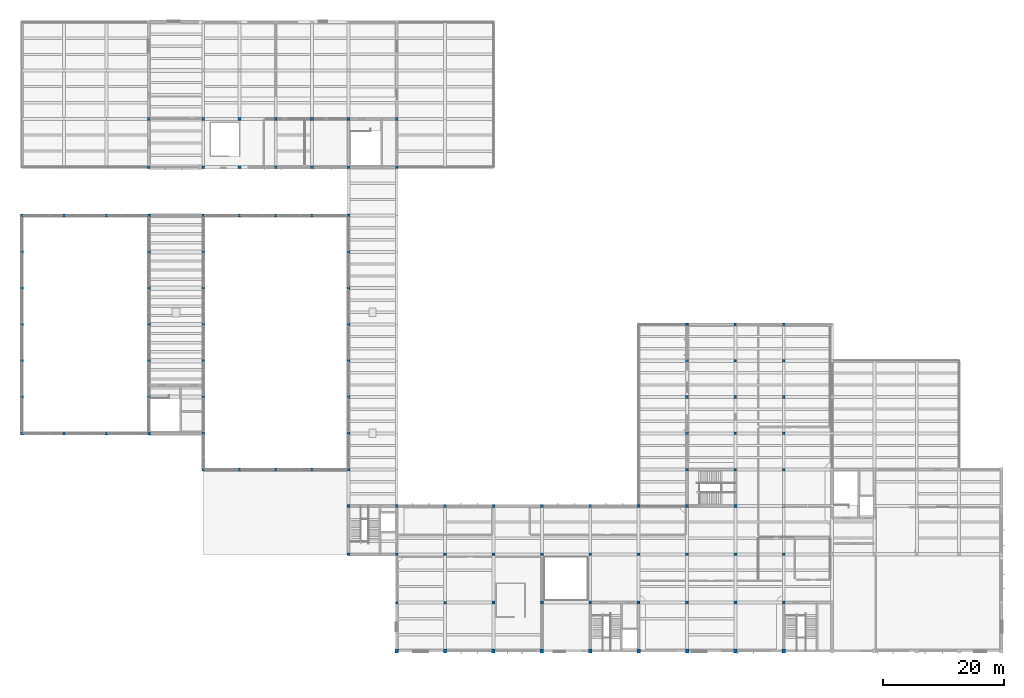
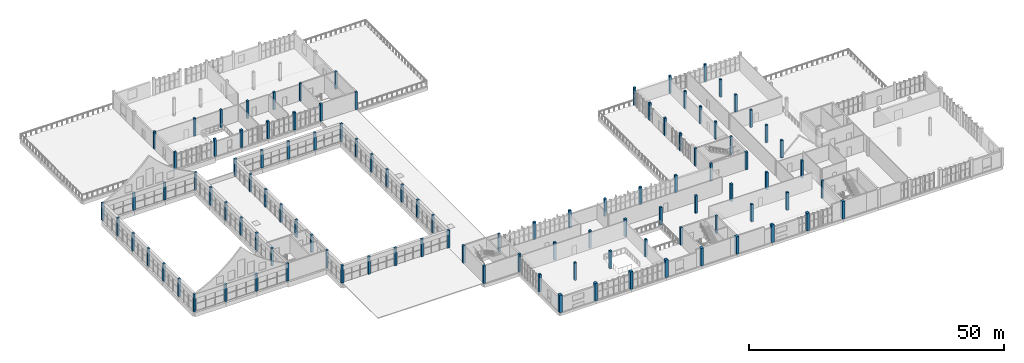
# One storey, part 1 of 70: 107 columns.
"""IFC4 building model written with IfcOpenShell, lengths in metres."""

from ifc_helpers import new_model, si_unit, direction, frame, origin, origin_2d, place, context, subcontext, project, spatial, rectangle, extrude, material, material_profile, profile_set, type_object, element, save


model = new_model("IFC4")

# Units and contexts
model_context = context("Model", 3, precision=1e-05, world=origin(), true_north=direction((0.0, 1.0)))
body_context = subcontext(model_context, "Body", "Model", "MODEL_VIEW")
ifc_project = project(units=[si_unit("LENGTHUNIT", "METRE"), si_unit("AREAUNIT", "SQUARE_METRE"), si_unit("VOLUMEUNIT", "CUBIC_METRE"), si_unit("PLANEANGLEUNIT", "RADIAN"), si_unit("MASSUNIT", "GRAM", prefix="KILO")], contexts=[model_context])

# Site, building, storey
site_placement = place(None, origin())
site = spatial("IfcSite", under=ifc_project, at=site_placement, CompositionType="ELEMENT")
building_placement = place(site_placement, origin())
building = spatial("IfcBuilding", under=site, at=building_placement, Name="Solvane Community Centre", CompositionType="ELEMENT")
storey_placement = place(building_placement, frame((0.0, 0.0, 9.60009765625)))
storey = spatial("IfcBuildingStorey", under=building, at=storey_placement, Name="L02", CompositionType="ELEMENT", Elevation=9.60009765625)

# Columns
ifc_material_1 = material(Name="Precast concrete C35/45", Category="concrete")
ifc_material_profile_1 = material_profile(ifc_material_1, rectangle(XDim=0.580078125, YDim=0.679931640625, at=origin_2d()), Name="RC 580x680")
ifc_profile_set_1 = profile_set([ifc_material_profile_1], Name="Precast concrete C35/45")
column_type_1 = type_object("IfcColumnType", Name="Art Deco Corner Pilaster 580x680", PredefinedType="PILASTER", material=ifc_profile_set_1)
for number, where, z_axis, x_axis, name in (
    (1, (68.0, 6.0, 0.0), (0.0, 0.0, 1.0), (1.0, 0.0, 0.0), "Column COL-L02-11-A"),
    (2, (76.0, 6.0, 0.0), (0.0, 0.0, 1.0), (1.0, 0.0, 0.0), "Column COL-L02-12-A"),
    (3, (84.0, 6.0, 0.0), (0.0, 0.0, 1.0), (1.0, 0.0, 0.0), "Column COL-L02-13-A"),
    (4, (92.0, 6.0, 0.0), (0.0, 0.0, 1.0), (1.0, 0.0, 0.0), "Column COL-L02-14-A"),
    (5, (100.0, 6.0, 0.0), (0.0, 0.0, 1.0), (1.0, 0.0, 0.0), "Column COL-L02-15-A"),
    (6, (108.0, 6.0, 0.0), (0.0, 0.0, 1.0), (1.0, 0.0, 0.0), "Column COL-L02-16-A"),
    (7, (116.0, 6.0, 0.0), (0.0, 0.0, 1.0), (1.0, 0.0, 0.0), "Column COL-L02-17-A"),
    (8, (124.0, 6.0, 0.0), (0.0, 0.0, 1.0), (1.0, 0.0, 0.0), "Column COL-L02-18-A"),
    (9, (132.0, 6.0, 0.0), (0.0, 0.0, 1.0), (1.0, 0.0, 0.0), "Column COL-L02-19-A"),
):
    element("IfcColumn", number, at=place(storey_placement, frame(where, z_axis=z_axis, x_axis=x_axis)), inside=storey, type_object=column_type_1, Name=name, PredefinedType="PILASTER", context=body_context, shape_type="SweptSolid", body=[
        extrude(rectangle(XDim=0.580078125, YDim=0.679931640625, at=origin_2d()), origin(), (0.0, 0.0, 1.0), 4.199951171875),
    ])
ifc_material_2 = material(Name="Glulam GL32h", Category="wood")
ifc_material_profile_2 = material_profile(ifc_material_2, rectangle(XDim=0.43994140625, YDim=0.43994140625, at=origin_2d()), Name="GL32h 440x440")
ifc_profile_set_2 = profile_set([ifc_material_profile_2], Name="Glulam GL32h")
column_type_2 = type_object("IfcColumnType", Name="Glulam Column 440x440", PredefinedType="COLUMN", material=ifc_profile_set_2)
for number, where, z_axis, x_axis, name in (
    (10, (68.0, 14.0, 0.0), (0.0, 0.0, 1.0), (1.0, 0.0, 0.0), "Column COL-L02-11-B"),
    (11, (76.0, 14.0, 0.0), (0.0, 0.0, 1.0), (1.0, 0.0, 0.0), "Column COL-L02-12-B"),
    (12, (116.0, 36.0, 0.0), (0.0, 0.0, 1.0), (1.0, 0.0, 0.0), "Column COL-L02-17-E"),
    (13, (116.0, 42.0, 0.0), (0.0, 0.0, 1.0), (1.0, 0.0, 0.0), "Column COL-L02-17-F"),
    (14, (116.0, 48.0, 0.0), (0.0, 0.0, 1.0), (1.0, 0.0, 0.0), "Column COL-L02-17-G"),
    (15, (116.0, 54.0, 0.0), (0.0, 0.0, 1.0), (1.0, 0.0, 0.0), "Column COL-L02-17-H"),
    (16, (116.0, 60.0, 0.0), (0.0, 0.0, 1.0), (1.0, 0.0, 0.0), "Column COL-L02-17-J"),
    (17, (124.0, 36.0, 0.0), (0.0, 0.0, 1.0), (1.0, 0.0, 0.0), "Column COL-L02-18-E"),
    (18, (124.0, 42.0, 0.0), (0.0, 0.0, 1.0), (1.0, 0.0, 0.0), "Column COL-L02-18-F"),
    (19, (124.0, 48.0, 0.0), (0.0, 0.0, 1.0), (1.0, 0.0, 0.0), "Column COL-L02-18-G"),
    (20, (124.0, 54.0, 0.0), (0.0, 0.0, 1.0), (1.0, 0.0, 0.0), "Column COL-L02-18-H"),
    (21, (124.0, 60.0, 0.0), (0.0, 0.0, 1.0), (1.0, 0.0, 0.0), "Column COL-L02-18-J"),
    (22, (132.0, 36.0, 0.0), (0.0, 0.0, 1.0), (1.0, 0.0, 0.0), "Column COL-L02-19-E"),
    (23, (132.0, 42.0, 0.0), (0.0, 0.0, 1.0), (1.0, 0.0, 0.0), "Column COL-L02-19-F"),
    (24, (132.0, 48.0, 0.0), (0.0, 0.0, 1.0), (1.0, 0.0, 0.0), "Column COL-L02-19-G"),
    (25, (132.0, 54.0, 0.0), (0.0, 0.0, 1.0), (1.0, 0.0, 0.0), "Column COL-L02-19-H"),
    (26, (132.0, 60.0, 0.0), (0.0, 0.0, 1.0), (1.0, 0.0, 0.0), "Column COL-L02-19-J"),
):
    element("IfcColumn", number, at=place(storey_placement, frame(where, z_axis=z_axis, x_axis=x_axis)), inside=storey, type_object=column_type_2, Name=name, PredefinedType="COLUMN", context=body_context, shape_type="SweptSolid", body=[
        extrude(rectangle(XDim=0.43994140625, YDim=0.43994140625, at=origin_2d()), origin(), (0.0, 0.0, 1.0), 4.199951171875),
    ])
ifc_material_profile_3 = material_profile(ifc_material_2, rectangle(XDim=0.47998046875, YDim=0.47998046875, at=origin_2d()), Name="GL32h 480x480")
ifc_profile_set_3 = profile_set([ifc_material_profile_3], Name="Glulam GL32h")
column_type_3 = type_object("IfcColumnType", Name="Glulam Heavy Column 480x480", PredefinedType="COLUMN", material=ifc_profile_set_3)
for number, where, z_axis, x_axis, name in (
    (27, (60.0, 22.0, 0.0), (0.0, 0.0, 1.0), (1.0, 0.0, 0.0), "Column COL-L02-10-C"),
    (28, (60.0, 30.0, 0.0), (0.0, 0.0, 1.0), (1.0, 0.0, 0.0), "Column COL-L02-10-D"),
    (29, (68.0, 22.0, 0.0), (0.0, 0.0, 1.0), (1.0, 0.0, 0.0), "Column COL-L02-11-C"),
    (30, (68.0, 30.0, 0.0), (0.0, 0.0, 1.0), (1.0, 0.0, 0.0), "Column COL-L02-11-D"),
    (31, (76.0, 22.0, 0.0), (0.0, 0.0, 1.0), (1.0, 0.0, 0.0), "Column COL-L02-12-C"),
    (32, (76.0, 30.0, 0.0), (0.0, 0.0, 1.0), (1.0, 0.0, 0.0), "Column COL-L02-12-D"),
    (33, (84.0, 14.0, 0.0), (0.0, 0.0, 1.0), (1.0, 0.0, 0.0), "Column COL-L02-13-B"),
    (34, (84.0, 22.0, 0.0), (0.0, 0.0, 1.0), (1.0, 0.0, 0.0), "Column COL-L02-13-C"),
    (35, (84.0, 30.0, 0.0), (0.0, 0.0, 1.0), (1.0, 0.0, 0.0), "Column COL-L02-13-D"),
    (36, (92.0, 14.0, 0.0), (0.0, 0.0, 1.0), (1.0, 0.0, 0.0), "Column COL-L02-14-B"),
    (37, (92.0, 22.0, 0.0), (0.0, 0.0, 1.0), (1.0, 0.0, 0.0), "Column COL-L02-14-C"),
    (38, (92.0, 30.0, 0.0), (0.0, 0.0, 1.0), (1.0, 0.0, 0.0), "Column COL-L02-14-D"),
    (39, (100.0, 14.0, 0.0), (0.0, 0.0, 1.0), (1.0, 0.0, 0.0), "Column COL-L02-15-B"),
    (40, (100.0, 22.0, 0.0), (0.0, 0.0, 1.0), (1.0, 0.0, 0.0), "Column COL-L02-15-C"),
    (41, (100.0, 30.0, 0.0), (0.0, 0.0, 1.0), (1.0, 0.0, 0.0), "Column COL-L02-15-D"),
    (42, (108.0, 14.0, 0.0), (0.0, 0.0, 1.0), (1.0, 0.0, 0.0), "Column COL-L02-16-B"),
    (43, (108.0, 22.0, 0.0), (0.0, 0.0, 1.0), (1.0, 0.0, 0.0), "Column COL-L02-16-C"),
    (44, (108.0, 30.0, 0.0), (0.0, 0.0, 1.0), (1.0, 0.0, 0.0), "Column COL-L02-16-D"),
    (45, (116.0, 14.0, 0.0), (0.0, 0.0, 1.0), (1.0, 0.0, 0.0), "Column COL-L02-17-B"),
    (46, (116.0, 22.0, 0.0), (0.0, 0.0, 1.0), (1.0, 0.0, 0.0), "Column COL-L02-17-C"),
    (47, (116.0, 30.0, 0.0), (0.0, 0.0, 1.0), (1.0, 0.0, 0.0), "Column COL-L02-17-D"),
    (48, (124.0, 14.0, 0.0), (0.0, 0.0, 1.0), (1.0, 0.0, 0.0), "Column COL-L02-18-B"),
    (49, (124.0, 22.0, 0.0), (0.0, 0.0, 1.0), (1.0, 0.0, 0.0), "Column COL-L02-18-C"),
    (50, (124.0, 30.0, 0.0), (0.0, 0.0, 1.0), (1.0, 0.0, 0.0), "Column COL-L02-18-D"),
    (51, (132.0, 14.0, 0.0), (0.0, 0.0, 1.0), (1.0, 0.0, 0.0), "Column COL-L02-19-B"),
    (52, (132.0, 22.0, 0.0), (0.0, 0.0, 1.0), (1.0, 0.0, 0.0), "Column COL-L02-19-C"),
    (53, (132.0, 30.0, 0.0), (0.0, 0.0, 1.0), (1.0, 0.0, 0.0), "Column COL-L02-19-D"),
    (54, (36.0, 36.0, 0.0), (0.0, 0.0, 1.0), (1.0, 0.0, 0.0), "Hall Drum Column COL-L02-DRM-360_360-V1"),
    (55, (36.0, 42.0, 0.0), (0.0, 0.0, 1.0), (1.0, 0.0, 0.0), "Hall Drum Column COL-L02-DRM-360_420-V1"),
    (56, (36.0, 48.0, 0.0), (0.0, 0.0, 1.0), (1.0, 0.0, 0.0), "Hall Drum Column COL-L02-DRM-360_480-V1"),
    (57, (36.0, 54.0, 0.0), (0.0, 0.0, 1.0), (1.0, 0.0, 0.0), "Hall Drum Column COL-L02-DRM-360_540-V1"),
    (58, (36.0, 60.0, 0.0), (0.0, 0.0, 1.0), (1.0, 0.0, 0.0), "Hall Drum Column COL-L02-DRM-360_600-V1"),
    (59, (36.0, 66.0, 0.0), (0.0, 0.0, 1.0), (1.0, 0.0, 0.0), "Hall Drum Column COL-L02-DRM-360_660-V1"),
    (60, (36.0, 72.0, 0.0), (0.0, 0.0, 1.0), (1.0, 0.0, 0.0), "Hall Drum Column COL-L02-DRM-360_720-V1"),
    (61, (36.0, 78.0, 0.0), (0.0, 0.0, 1.0), (1.0, 0.0, 0.0), "Hall Drum Column COL-L02-DRM-360_780-V1"),
    (62, (60.0, 36.0, 0.0), (0.0, 0.0, 1.0), (1.0, 0.0, 0.0), "Hall Drum Column COL-L02-DRM-600_360-V1"),
    (63, (60.0, 42.0, 0.0), (0.0, 0.0, 1.0), (1.0, 0.0, 0.0), "Hall Drum Column COL-L02-DRM-600_420-V1"),
    (64, (60.0, 48.0, 0.0), (0.0, 0.0, 1.0), (1.0, 0.0, 0.0), "Hall Drum Column COL-L02-DRM-600_480-V1"),
    (65, (60.0, 54.0, 0.0), (0.0, 0.0, 1.0), (1.0, 0.0, 0.0), "Hall Drum Column COL-L02-DRM-600_540-V1"),
    (66, (60.0, 60.0, 0.0), (0.0, 0.0, 1.0), (1.0, 0.0, 0.0), "Hall Drum Column COL-L02-DRM-600_600-V1"),
    (67, (60.0, 66.0, 0.0), (0.0, 0.0, 1.0), (1.0, 0.0, 0.0), "Hall Drum Column COL-L02-DRM-600_660-V1"),
    (68, (60.0, 72.0, 0.0), (0.0, 0.0, 1.0), (1.0, 0.0, 0.0), "Hall Drum Column COL-L02-DRM-600_720-V1"),
    (69, (60.0, 78.0, 0.0), (0.0, 0.0, 1.0), (1.0, 0.0, 0.0), "Hall Drum Column COL-L02-DRM-600_780-V1"),
    (70, (42.0, 36.0, 0.0), (0.0, 0.0, 1.0), (1.0, 0.0, 0.0), "Hall Drum Column COL-L02-DRM-420_360-V1"),
    (71, (42.0, 78.0, 0.0), (0.0, 0.0, 1.0), (1.0, 0.0, 0.0), "Hall Drum Column COL-L02-DRM-420_780-V1"),
    (72, (48.0, 36.0, 0.0), (0.0, 0.0, 1.0), (1.0, 0.0, 0.0), "Hall Drum Column COL-L02-DRM-480_360-V1"),
    (73, (48.0, 78.0, 0.0), (0.0, 0.0, 1.0), (1.0, 0.0, 0.0), "Hall Drum Column COL-L02-DRM-480_780-V1"),
    (74, (54.0, 36.0, 0.0), (0.0, 0.0, 1.0), (1.0, 0.0, 0.0), "Hall Drum Column COL-L02-DRM-540_360-V1"),
    (75, (54.0, 78.0, 0.0), (0.0, 0.0, 1.0), (1.0, 0.0, 0.0), "Hall Drum Column COL-L02-DRM-540_780-V1"),
    (76, (6.0, 42.0, 0.0), (0.0, 0.0, 1.0), (1.0, 0.0, 0.0), "Hall Drum Column COL-L02-DRM-60_420-V2"),
    (77, (6.0, 48.0, 0.0), (0.0, 0.0, 1.0), (1.0, 0.0, 0.0), "Hall Drum Column COL-L02-DRM-60_480-V2"),
    (78, (6.0, 54.0, 0.0), (0.0, 0.0, 1.0), (1.0, 0.0, 0.0), "Hall Drum Column COL-L02-DRM-60_540-V2"),
    (79, (6.0, 60.0, 0.0), (0.0, 0.0, 1.0), (1.0, 0.0, 0.0), "Hall Drum Column COL-L02-DRM-60_600-V2"),
    (80, (6.0, 66.0, 0.0), (0.0, 0.0, 1.0), (1.0, 0.0, 0.0), "Hall Drum Column COL-L02-DRM-60_660-V2"),
    (81, (6.0, 72.0, 0.0), (0.0, 0.0, 1.0), (1.0, 0.0, 0.0), "Hall Drum Column COL-L02-DRM-60_720-V2"),
    (82, (6.0, 78.0, 0.0), (0.0, 0.0, 1.0), (1.0, 0.0, 0.0), "Hall Drum Column COL-L02-DRM-60_780-V2"),
    (83, (27.0, 42.0, 0.0), (0.0, 0.0, 1.0), (1.0, 0.0, 0.0), "Hall Drum Column COL-L02-DRM-270_420-V2"),
    (84, (27.0, 48.0, 0.0), (0.0, 0.0, 1.0), (1.0, 0.0, 0.0), "Hall Drum Column COL-L02-DRM-270_480-V2"),
    (85, (27.0, 54.0, 0.0), (0.0, 0.0, 1.0), (1.0, 0.0, 0.0), "Hall Drum Column COL-L02-DRM-270_540-V2"),
    (86, (27.0, 60.0, 0.0), (0.0, 0.0, 1.0), (1.0, 0.0, 0.0), "Hall Drum Column COL-L02-DRM-270_600-V2"),
    (87, (27.0, 66.0, 0.0), (0.0, 0.0, 1.0), (1.0, 0.0, 0.0), "Hall Drum Column COL-L02-DRM-270_660-V2"),
    (88, (27.0, 72.0, 0.0), (0.0, 0.0, 1.0), (1.0, 0.0, 0.0), "Hall Drum Column COL-L02-DRM-270_720-V2"),
    (89, (27.0, 78.0, 0.0), (0.0, 0.0, 1.0), (1.0, 0.0, 0.0), "Hall Drum Column COL-L02-DRM-270_780-V2"),
    (90, (13.0, 42.0, 0.0), (0.0, 0.0, 1.0), (1.0, 0.0, 0.0), "Hall Drum Column COL-L02-DRM-130_420-V2"),
    (91, (13.0, 78.0, 0.0), (0.0, 0.0, 1.0), (1.0, 0.0, 0.0), "Hall Drum Column COL-L02-DRM-130_780-V2"),
    (92, (20.0, 42.0, 0.0), (0.0, 0.0, 1.0), (1.0, 0.0, 0.0), "Hall Drum Column COL-L02-DRM-200_420-V2"),
    (93, (20.0, 78.0, 0.0), (0.0, 0.0, 1.0), (1.0, 0.0, 0.0), "Hall Drum Column COL-L02-DRM-200_780-V2"),
):
    element("IfcColumn", number, at=place(storey_placement, frame(where, z_axis=z_axis, x_axis=x_axis)), inside=storey, type_object=column_type_3, Name=name, PredefinedType="COLUMN", context=body_context, shape_type="SweptSolid", body=[
        extrude(rectangle(XDim=0.47998046875, YDim=0.47998046875, at=origin_2d()), origin(), (0.0, 0.0, 1.0), 4.199951171875),
    ])
ifc_material_profile_4 = material_profile(ifc_material_2, rectangle(XDim=0.4599609375, YDim=0.4599609375, at=origin_2d()), Name="GL32h 460x460")
ifc_profile_set_4 = profile_set([ifc_material_profile_4], Name="Glulam GL32h")
column_type_4 = type_object("IfcColumnType", Name="Glulam Mid Column 460x460", PredefinedType="COLUMN", material=ifc_profile_set_4)
for number, where, z_axis, x_axis, name in (
    (94, (27.0, 86.0, 0.0), (0.0, 0.0, 1.0), (1.0, 0.0, 0.0), "Column COL-L02-5-N"),
    (95, (27.0, 94.0, 0.0), (0.0, 0.0, 1.0), (1.0, 0.0, 0.0), "Column COL-L02-5-P"),
    (96, (36.0, 86.0, 0.0), (0.0, 0.0, 1.0), (1.0, 0.0, 0.0), "Column COL-L02-6-N"),
    (97, (36.0, 94.0, 0.0), (0.0, 0.0, 1.0), (1.0, 0.0, 0.0), "Column COL-L02-6-P"),
    (98, (42.0, 86.0, 0.0), (0.0, 0.0, 1.0), (1.0, 0.0, 0.0), "Column COL-L02-7-N"),
    (99, (42.0, 94.0, 0.0), (0.0, 0.0, 1.0), (1.0, 0.0, 0.0), "Column COL-L02-7-P"),
    (100, (48.0, 86.0, 0.0), (0.0, 0.0, 1.0), (1.0, 0.0, 0.0), "Column COL-L02-8-N"),
    (101, (48.0, 94.0, 0.0), (0.0, 0.0, 1.0), (1.0, 0.0, 0.0), "Column COL-L02-8-P"),
    (102, (54.0, 86.0, 0.0), (0.0, 0.0, 1.0), (1.0, 0.0, 0.0), "Column COL-L02-9-N"),
    (103, (54.0, 94.0, 0.0), (0.0, 0.0, 1.0), (1.0, 0.0, 0.0), "Column COL-L02-9-P"),
    (104, (60.0, 86.0, 0.0), (0.0, 0.0, 1.0), (1.0, 0.0, 0.0), "Column COL-L02-10-N"),
    (105, (60.0, 94.0, 0.0), (0.0, 0.0, 1.0), (1.0, 0.0, 0.0), "Column COL-L02-10-P"),
    (106, (68.0, 86.0, 0.0), (0.0, 0.0, 1.0), (1.0, 0.0, 0.0), "Column COL-L02-11-N"),
    (107, (68.0, 94.0, 0.0), (0.0, 0.0, 1.0), (1.0, 0.0, 0.0), "Column COL-L02-11-P"),
):
    element("IfcColumn", number, at=place(storey_placement, frame(where, z_axis=z_axis, x_axis=x_axis)), inside=storey, type_object=column_type_4, Name=name, PredefinedType="COLUMN", context=body_context, shape_type="SweptSolid", body=[
        extrude(rectangle(XDim=0.4599609375, YDim=0.4599609375, at=origin_2d()), origin(), (0.0, 0.0, 1.0), 4.199951171875),
    ])

save(model, "model.ifc")
